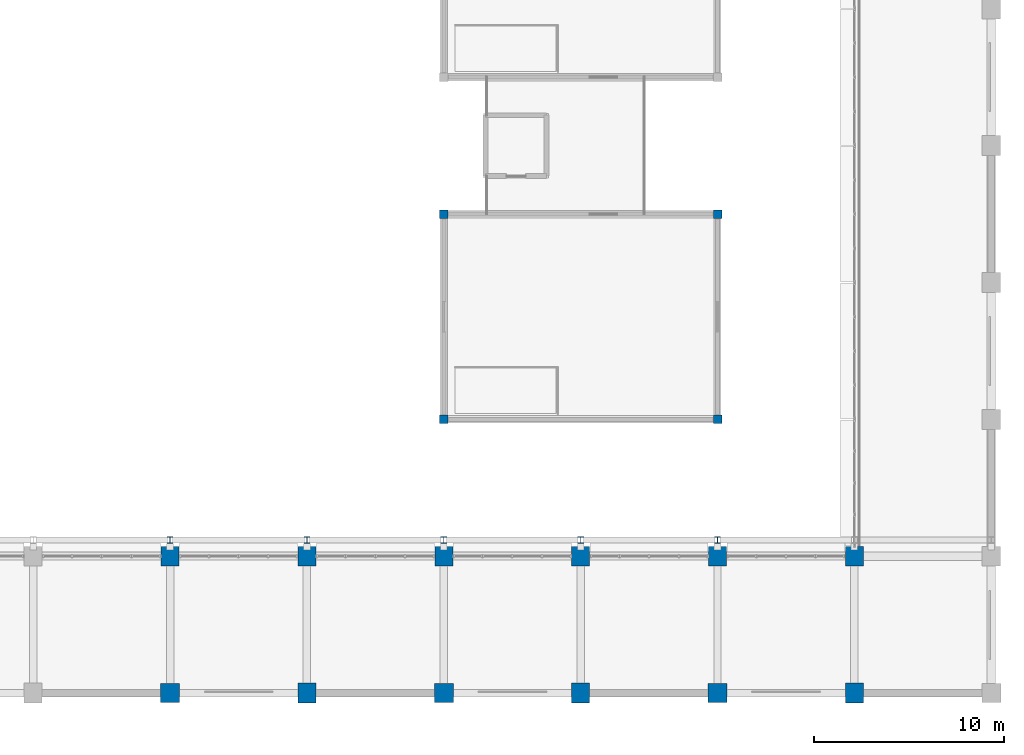
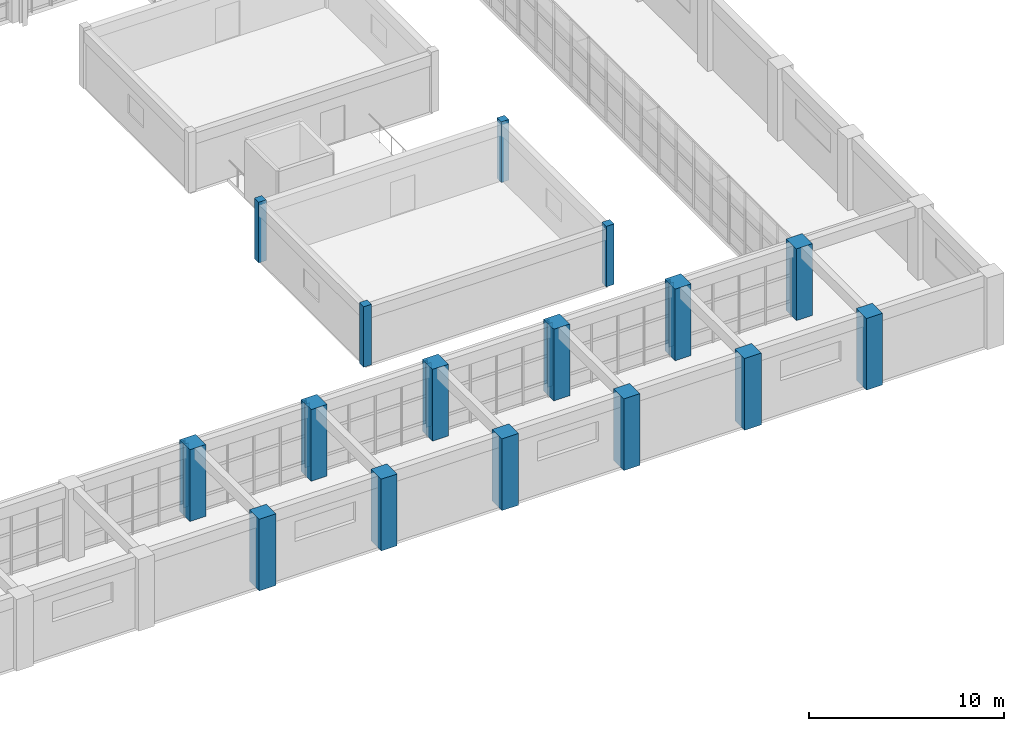
# One storey, part 6 of 171: 21 columns.
"""IFC4 building model written with IfcOpenShell, lengths in metres."""

import ifcopenshell
import ifcopenshell.guid

model = None  # the IFC model being written
_history = None  # IfcOwnerHistory: only IFC2X3 demands one
_inside = {}  # id of a spatial element -> (the spatial element, [elements in it])
_under = {}  # id of a project, library or spatial element -> (it, [spatial elements below it])
_declared = {}  # id of a project -> (the project, [libraries it declares])
_typed = {}  # id of a type object -> (the type object, [elements of that type])
_made_of = {}  # id of a material, layer set ... -> (it, [elements and type objects made of it])


def new_model(schema):
    """Start an empty IFC model of exactly this schema.

    Asked for "IFC4X3", IfcOpenShell would pick the latest addendum, in which some entities
    have other attributes; the version numbers below select the first issue.
    IFC2X3 requires an IfcOwnerHistory on every rooted entity: one is made here for all.
    """
    global model, _history
    if schema == "IFC4X3":
        model = ifcopenshell.file(schema_version=(4, 3, 0, 0))
    else:
        model = ifcopenshell.file(schema=schema)
    _inside.clear()
    _under.clear()
    _declared.clear()
    _typed.clear()
    _made_of.clear()
    _history = None
    if model.schema == "IFC2X3":
        org = make("IfcOrganization", Name="unknown")
        user = make(
            "IfcPersonAndOrganization",
            ThePerson=make("IfcPerson", FamilyName="unknown"),
            TheOrganization=org,
        )
        app = make(
            "IfcApplication",
            ApplicationDeveloper=org,
            Version="unknown",
            ApplicationFullName="unknown",
            ApplicationIdentifier="unknown",
        )
        _history = make(
            "IfcOwnerHistory",
            OwningUser=user,
            OwningApplication=app,
            ChangeAction="ADDED",
            CreationDate=0,
        )
    return model


def make(cls, **values):
    """One entity of the class cls with the attributes given. An attribute that is None is left unset."""
    return model.create_entity(
        cls, **{name: value for name, value in values.items() if value is not None}
    )


def rooted(cls, **values):
    """An entity with a GlobalId (a new one), such as an element, a storey or a relation."""
    return make(cls, GlobalId=ifcopenshell.guid.new(), OwnerHistory=_history, **values)


def si_unit(unit_type, name, prefix=None):
    """IfcSIUnit, for example si_unit("LENGTHUNIT", "METRE", prefix="MILLI")."""
    return make("IfcSIUnit", UnitType=unit_type, Prefix=prefix, Name=name)


def assignment(units):
    """IfcUnitAssignment: the units of a project."""
    return None if units is None else make("IfcUnitAssignment", Units=units)


def point(xyz):
    """IfcCartesianPoint."""
    return None if xyz is None else make("IfcCartesianPoint", Coordinates=xyz)


def direction(xyz):
    """IfcDirection."""
    return None if xyz is None else make("IfcDirection", DirectionRatios=xyz)


def frame(location, z_axis=None, x_axis=None):
    """IfcAxis2Placement3D, a coordinate frame: its origin and axes. An axis left out is left unset."""
    return make(
        "IfcAxis2Placement3D",
        Location=point(location),
        Axis=direction(z_axis),
        RefDirection=direction(x_axis),
    )


def frame_2d(location, x_axis=None):
    """IfcAxis2Placement2D, a coordinate frame in the plane: its origin and x axis."""
    return make(
        "IfcAxis2Placement2D", Location=point(location), RefDirection=direction(x_axis)
    )


def origin():
    """The frame at (0, 0, 0) with its axes left unset."""
    return frame((0.0, 0.0, 0.0))


def origin_2d():
    """The frame at (0, 0) in the plane with its x axis left unset."""
    return frame_2d((0.0, 0.0))


def place(relative_to, where):
    """IfcLocalPlacement: puts the frame where relative to a parent placement (None: the world)."""
    return make(
        "IfcLocalPlacement", PlacementRelTo=relative_to, RelativePlacement=where
    )


def context(
    kind, dimensions, precision=None, world=None, true_north=None, identifier=None
):
    """IfcGeometricRepresentationContext, for example the 3D "Model" context."""
    return make(
        "IfcGeometricRepresentationContext",
        ContextIdentifier=identifier,
        ContextType=kind,
        CoordinateSpaceDimension=dimensions,
        Precision=precision,
        WorldCoordinateSystem=world,
        TrueNorth=true_north,
    )


def subcontext(parent, identifier, kind, view, scale=None):
    """IfcGeometricRepresentationSubContext, for example "Body" below "Model"."""
    return make(
        "IfcGeometricRepresentationSubContext",
        ContextIdentifier=identifier,
        ContextType=kind,
        ParentContext=parent,
        TargetScale=scale,
        TargetView=view,
    )


def project(units=None, contexts=None):
    """IfcProject with its units and contexts."""
    return rooted(
        "IfcProject",
        Name="project",
        RepresentationContexts=contexts,
        UnitsInContext=assignment(units),
    )


def spatial(cls, under=None, at=None, **own):
    """A site, building, storey or space (cls), placed at a placement, below another one or the project."""
    s = rooted(cls, ObjectPlacement=at, **own)
    if under is not None:
        _under.setdefault(under.id(), (under, []))[1].append(s)
    return s


def profile(cls, at=None, kind="AREA", **sizes):
    """A parametric profile (cls). Its sizes go by their IFC names, for example OverallWidth=200.0."""
    return make(cls, ProfileType=kind, Position=at, **sizes)


def rectangle(**sizes):
    """IfcRectangleProfileDef."""
    return profile("IfcRectangleProfileDef", **sizes)


def i_section(**sizes):
    """IfcIShapeProfileDef."""
    return profile("IfcIShapeProfileDef", **sizes)


def extrude(swept, where, along, depth):
    """IfcExtrudedAreaSolid: the profile swept, set in the frame where, extruded along a direction by depth."""
    return make(
        "IfcExtrudedAreaSolid",
        SweptArea=swept,
        Position=where,
        ExtrudedDirection=direction(along),
        Depth=depth,
    )


def shape(context_of_items, identifier, shape_type, items):
    """IfcShapeRepresentation: the items that make up one representation, for example the "Body"."""
    return make(
        "IfcShapeRepresentation",
        ContextOfItems=context_of_items,
        RepresentationIdentifier=identifier,
        RepresentationType=shape_type,
        Items=items,
    )


def material(Name=None, Category=None):
    """IfcMaterial."""
    return make("IfcMaterial", Name=Name, Category=Category)


def material_profile(
    of_material, cross_section, Name=None, Category=None, Priority=None
):
    """IfcMaterialProfile: a cross section and its material."""
    return make(
        "IfcMaterialProfile",
        Name=Name,
        Material=of_material,
        Profile=cross_section,
        Priority=Priority,
        Category=Category,
    )


def profile_set(profiles, Name=None, composite=None):
    """IfcMaterialProfileSet."""
    return make(
        "IfcMaterialProfileSet",
        Name=Name,
        MaterialProfiles=profiles,
        CompositeProfile=composite,
    )


def made_of(thing, what):
    """Note that an element or type object is made of a material, layer set ...; save() writes the relation."""
    if what is not None:
        _made_of.setdefault(what.id(), (what, []))[1].append(thing)
    return thing


def type_object(cls, material=None, **own):
    """A type object (cls), such as IfcWallType, which elements share."""
    return made_of(rooted(cls, **own), material)


def element(
    cls,
    number,
    at=None,
    inside=None,
    cuts=None,
    type_object=None,
    material=None,
    context=None,
    identifier="Body",
    shape_type=None,
    held_by="IfcProductDefinitionShape",
    body=None,
    shapes=None,
    **own,
):
    """One element of the class cls, such as IfcWall. Its Tag is "e" and its number.

    at: its placement. inside: the storey or other place that contains it. cuts: it is an
    opening in that element (IfcRelVoidsElement). A single representation is given by context,
    identifier, shape_type and body (its items); several are given by shapes. held_by: the class
    of the entity that holds the representations. save() writes the other relations.
    """
    e = rooted(cls, Tag="e%d" % number, ObjectPlacement=at, **own)
    if body is not None:
        shapes = [shape(context, identifier, shape_type, body)]
    if shapes is not None:
        e.Representation = make(held_by, Representations=shapes)
    if inside is not None:
        _inside.setdefault(inside.id(), (inside, []))[1].append(e)
    if cuts is not None:
        rooted(
            "IfcRelVoidsElement", RelatingBuildingElement=cuts, RelatedOpeningElement=e
        )
    if type_object is not None:
        _typed.setdefault(type_object.id(), (type_object, []))[1].append(e)
    return made_of(e, material)


def aggregate(whole, parts):
    """IfcRelAggregates: a whole, such as a stair, and the parts it consists of."""
    return rooted("IfcRelAggregates", RelatingObject=whole, RelatedObjects=parts)


def save(model, path):
    """Write the relations noted so far, then the file.

    IfcRelAggregates (storeys below a building ...), IfcRelContainedInSpatialStructure (elements
    in a storey), IfcRelDefinesByType, IfcRelAssociatesMaterial and IfcRelDeclares: one each for
    every whole, place, type object, material and project.
    """
    for whole, parts in _under.values():
        aggregate(whole, parts)
    for where, things in _inside.values():
        rooted(
            "IfcRelContainedInSpatialStructure",
            RelatedElements=things,
            RelatingStructure=where,
        )
    for kind, things in _typed.values():
        rooted("IfcRelDefinesByType", RelatedObjects=things, RelatingType=kind)
    for what, things in _made_of.values():
        rooted("IfcRelAssociatesMaterial", RelatedObjects=things, RelatingMaterial=what)
    for by, libraries in _declared.values():
        rooted("IfcRelDeclares", RelatingContext=by, RelatedDefinitions=libraries)
    model.write(path)


model = new_model("IFC4")

# Units and contexts
model_context = context("Model", 3, precision=1e-05, world=origin(), true_north=direction((0.0, 1.0)))
body_context = subcontext(model_context, "Body", "Model", "MODEL_VIEW")
ifc_project = project(units=[si_unit("LENGTHUNIT", "METRE"), si_unit("AREAUNIT", "SQUARE_METRE"), si_unit("VOLUMEUNIT", "CUBIC_METRE"), si_unit("PLANEANGLEUNIT", "RADIAN"), si_unit("MASSUNIT", "GRAM", prefix="KILO")], contexts=[model_context])

# Site, building, storey
site_placement = place(None, origin())
site = spatial("IfcSite", under=ifc_project, at=site_placement, CompositionType="ELEMENT")
building_placement = place(site_placement, origin())
building = spatial("IfcBuilding", under=site, at=building_placement, Name="Thalmaran Polytechnic", CompositionType="ELEMENT")
storey_placement = place(building_placement, frame((0.0, 0.0, 5.39990234375)))
storey = spatial("IfcBuildingStorey", under=building, at=storey_placement, Name="L01", CompositionType="ELEMENT", Elevation=5.39990234375)

# Columns
ifc_material_1 = material(Name="Concrete C40/50", Category="concrete")
ifc_material_profile_1 = material_profile(ifc_material_1, rectangle(XDim=0.449951171875, YDim=0.449951171875, at=origin_2d()), Name="RC 450x450")
ifc_profile_set_1 = profile_set([ifc_material_profile_1], Name="Concrete C40/50")
column_type_1 = type_object("IfcColumnType", Name="COL-C10", PredefinedType="COLUMN", material=ifc_profile_set_1)
for number, where, z_axis, x_axis, name in (
    (1, (144.0, 14.39990234375, 0.0), (0.0, 0.0, 1.0), (1.0, 0.0, 0.0), "POD2 Upper Column L01"),
    (2, (144.0, 25.199951171875, 0.0), (0.0, 0.0, 1.0), (1.0, 0.0, 0.0), "POD2 Upper Column L01"),
    (3, (158.39990234375, 14.39990234375, 0.0), (0.0, 0.0, 1.0), (1.0, 0.0, 0.0), "POD2 Upper Column L01"),
    (4, (158.39990234375, 25.199951171875, 0.0), (0.0, 0.0, 1.0), (1.0, 0.0, 0.0), "POD2 Upper Column L01"),
):
    element("IfcColumn", number, at=place(storey_placement, frame(where, z_axis=z_axis, x_axis=x_axis)), inside=storey, type_object=column_type_1, Name=name, PredefinedType="COLUMN", context=body_context, shape_type="SweptSolid", body=[
        extrude(rectangle(XDim=0.449951171875, YDim=0.449951171875, at=origin_2d()), origin(), (0.0, 0.0, 1.0), 3.800048828125),
    ])
ifc_material_2 = material(Name="Steel S355", Category="steel")
ifc_material_profile_2 = material_profile(ifc_material_2, i_section(OverallWidth=0.300048828125, OverallDepth=0.340087890625, WebThickness=0.011962890625, FlangeThickness=0.021484375, at=origin_2d()), Name="HEB 340")
ifc_profile_set_2 = profile_set([ifc_material_profile_2], Name="Steel S355")
column_type_2 = type_object("IfcColumnType", Name="COL-SC1", PredefinedType="COLUMN", material=ifc_profile_set_2)
for number, where, z_axis, x_axis, name in (
    (5, (129.60009765625, 8.050048828125, 0.0), (0.0, 0.0, 1.0), (1.0, 0.0, 0.0), "Workshop Crane Runway Column L01 (18,1)"),
    (6, (136.800048828125, 8.050048828125, 0.0), (0.0, 0.0, 1.0), (1.0, 0.0, 0.0), "Workshop Crane Runway Column L01 (19,1)"),
    (7, (144.0, 8.050048828125, 0.0), (0.0, 0.0, 1.0), (1.0, 0.0, 0.0), "Workshop Crane Runway Column L01 (20,1)"),
    (8, (151.199951171875, 8.050048828125, 0.0), (0.0, 0.0, 1.0), (1.0, 0.0, 0.0), "Workshop Crane Runway Column L01 (21,1)"),
    (9, (158.39990234375, 8.050048828125, 0.0), (0.0, 0.0, 1.0), (1.0, 0.0, 0.0), "Workshop Crane Runway Column L01 (22,1)"),
):
    element("IfcColumn", number, at=place(storey_placement, frame(where, z_axis=z_axis, x_axis=x_axis)), inside=storey, type_object=column_type_2, Name=name, PredefinedType="COLUMN", context=body_context, shape_type="SweptSolid", body=[
        extrude(i_section(OverallWidth=0.300048828125, OverallDepth=0.340087890625, WebThickness=0.011962890625, FlangeThickness=0.021484375, at=origin_2d()), origin(), (0.0, 0.0, 1.0), 4.0),
    ])
ifc_material_3 = material(Name="Concrete C50/60", Category="concrete")
ifc_material_profile_3 = material_profile(ifc_material_3, rectangle(XDim=1.0, YDim=1.0, at=origin_2d()), Name="RC 1000x1000")
ifc_profile_set_3 = profile_set([ifc_material_profile_3], Name="Concrete C50/60")
column_type_3 = type_object("IfcColumnType", Name="COL-WP1", PredefinedType="COLUMN", material=ifc_profile_set_3)
for number, where, z_axis, x_axis, name in (
    (10, (129.60009765625, 0.0, 0.0), (0.0, 0.0, 1.0), (1.0, 0.0, 0.0), "Column WP1 L01 (18,0)"),
    (11, (144.0, 0.0, 0.0), (0.0, 0.0, 1.0), (1.0, 0.0, 0.0), "Column WP1 L01 (20,0)"),
    (12, (158.39990234375, 0.0, 0.0), (0.0, 0.0, 1.0), (1.0, 0.0, 0.0), "Column WP1 L01 (22,0)"),
):
    element("IfcColumn", number, at=place(storey_placement, frame(where, z_axis=z_axis, x_axis=x_axis)), inside=storey, type_object=column_type_3, Name=name, PredefinedType="COLUMN", context=body_context, shape_type="SweptSolid", body=[
        extrude(rectangle(XDim=1.0, YDim=1.0, at=origin_2d()), origin(), (0.0, 0.0, 1.0), 4.5),
    ])
ifc_material_profile_4 = material_profile(ifc_material_3, rectangle(XDim=0.949951171875, YDim=1.050048828125, at=origin_2d()), Name="RC 950x1050")
ifc_profile_set_4 = profile_set([ifc_material_profile_4], Name="Concrete C50/60")
column_type_4 = type_object("IfcColumnType", Name="COL-WP2", PredefinedType="COLUMN", material=ifc_profile_set_4)
for number, where, z_axis, x_axis, name in (
    (13, (129.60009765625, 7.199951171875, 0.0), (0.0, 0.0, 1.0), (1.0, 0.0, 0.0), "Column WP2 L01 (18,1)"),
    (14, (136.800048828125, 0.0, 0.0), (0.0, 0.0, 1.0), (1.0, 0.0, 0.0), "Column WP2 L01 (19,0)"),
    (15, (136.800048828125, 7.199951171875, 0.0), (0.0, 0.0, 1.0), (1.0, 0.0, 0.0), "Column WP2 L01 (19,1)"),
    (16, (144.0, 7.199951171875, 0.0), (0.0, 0.0, 1.0), (1.0, 0.0, 0.0), "Column WP2 L01 (20,1)"),
    (17, (151.199951171875, 0.0, 0.0), (0.0, 0.0, 1.0), (1.0, 0.0, 0.0), "Column WP2 L01 (21,0)"),
    (18, (151.199951171875, 7.199951171875, 0.0), (0.0, 0.0, 1.0), (1.0, 0.0, 0.0), "Column WP2 L01 (21,1)"),
    (19, (158.39990234375, 7.199951171875, 0.0), (0.0, 0.0, 1.0), (1.0, 0.0, 0.0), "Column WP2 L01 (22,1)"),
    (20, (165.60009765625, 0.0, 0.0), (0.0, 0.0, 1.0), (1.0, 0.0, 0.0), "Column WP2 L01 (23,0)"),
    (21, (165.60009765625, 7.199951171875, 0.0), (0.0, 0.0, 1.0), (1.0, 0.0, 0.0), "Column WP2 L01 (23,1)"),
):
    element("IfcColumn", number, at=place(storey_placement, frame(where, z_axis=z_axis, x_axis=x_axis)), inside=storey, type_object=column_type_4, Name=name, PredefinedType="COLUMN", context=body_context, shape_type="SweptSolid", body=[
        extrude(rectangle(XDim=0.949951171875, YDim=1.050048828125, at=origin_2d()), origin(), (0.0, 0.0, 1.0), 4.5),
    ])

save(model, "model.ifc")
